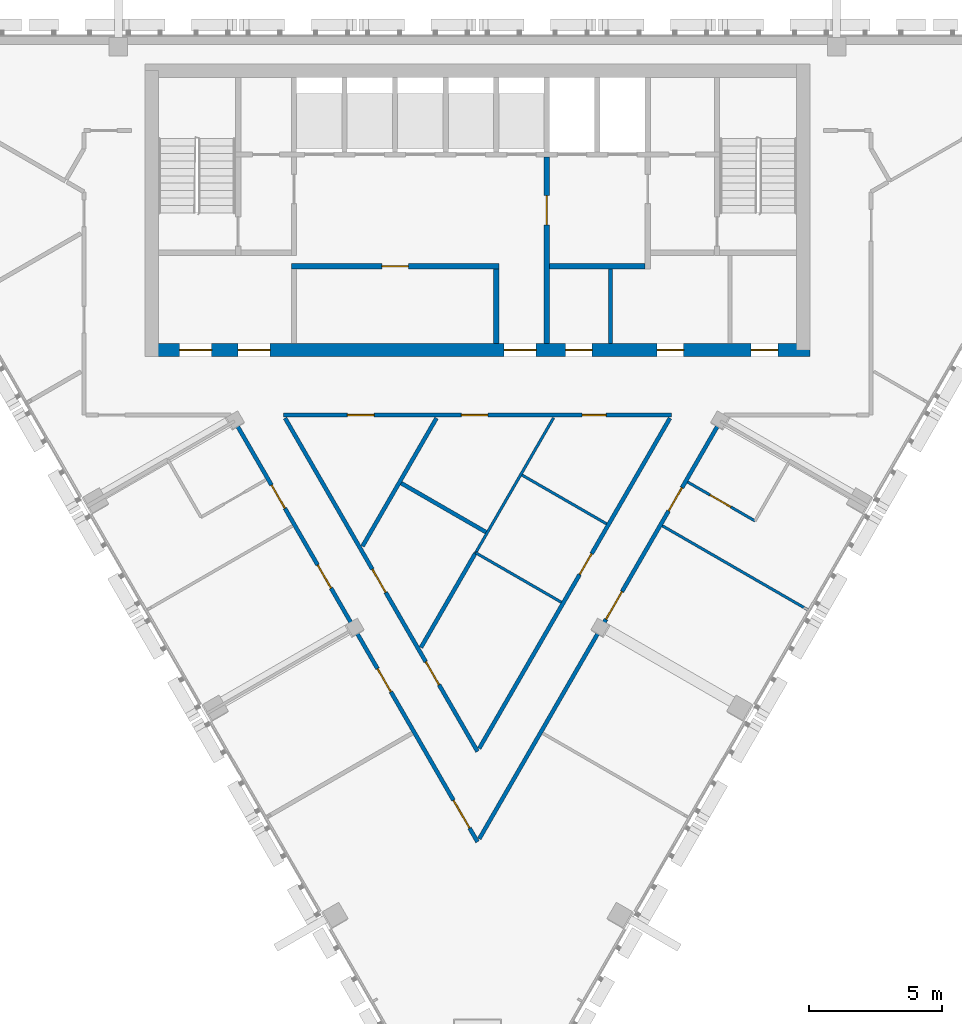
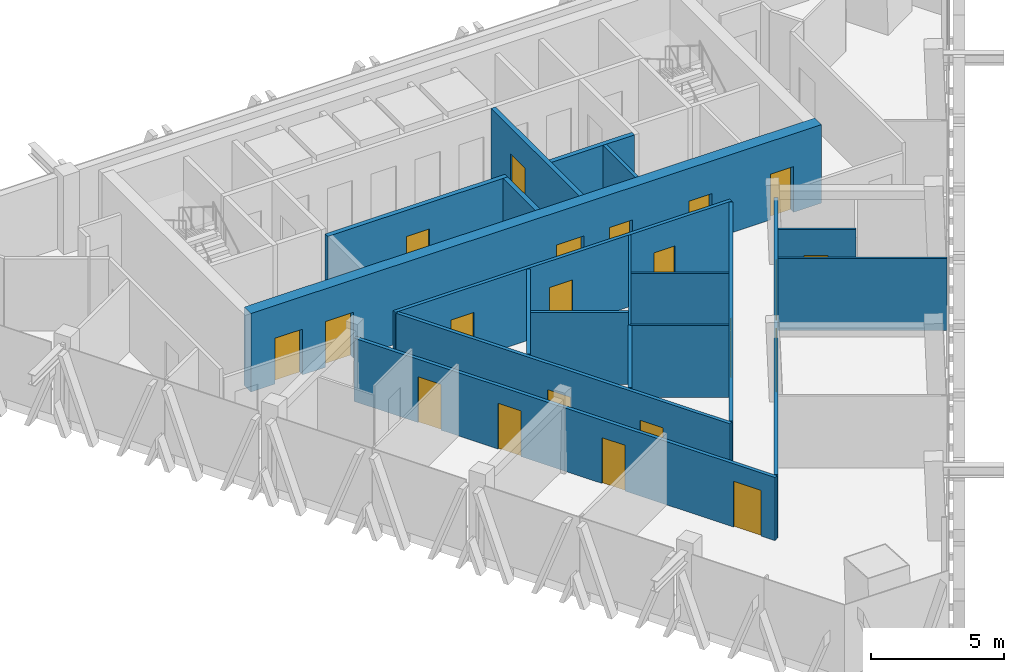
# One storey, part 8 of 12: 21 doors, 19 walls, 21 openings.
"""IFC4 building model written with IfcOpenShell, lengths in metres."""

from ifc_helpers import new_model, si_unit, direction, frame, frame_2d, origin, place, context, subcontext, project, spatial, rectangle, extrude, material, layer, layer_set, type_object, element, fill, save


model = new_model("IFC4")

# Units and contexts
model_context = context("Model", 3, precision=1e-05, world=origin(), true_north=direction((0.0, 1.0)))
body_context = subcontext(model_context, "Body", "Model", "MODEL_VIEW")
ifc_project = project(units=[si_unit("LENGTHUNIT", "METRE"), si_unit("AREAUNIT", "SQUARE_METRE"), si_unit("VOLUMEUNIT", "CUBIC_METRE"), si_unit("PLANEANGLEUNIT", "RADIAN"), si_unit("MASSUNIT", "GRAM", prefix="KILO")], contexts=[model_context])

# Site, building, storey
site_placement = place(None, origin())
site = spatial("IfcSite", under=ifc_project, at=site_placement, CompositionType="ELEMENT")
building_placement = place(site_placement, origin())
building = spatial("IfcBuilding", under=site, at=building_placement, Name="Altiplano Prism Tower", CompositionType="ELEMENT")
storey_placement = place(building_placement, frame((0.0, 0.0, 282.39990234375)))
storey = spatial("IfcBuildingStorey", under=building, at=storey_placement, Name="L73", CompositionType="ELEMENT", Elevation=282.39990234375)

# Wall, openings, doors
ifc_material_1 = material(Name="Concrete C60/75", Category="concrete")
ifc_layer_1 = layer(ifc_material_1, 0.5)
ifc_layer_set_1 = layer_set([ifc_layer_1], Name="Concrete C60/75")
wall_type_1 = type_object("IfcWallType", Name="Core wall 500", PredefinedType="SHEAR", material=ifc_layer_set_1)
wall_1_placement = place(storey_placement, frame((72.75, 93.14990234375, 0.0), z_axis=(0.0, 0.0, 1.0), x_axis=(1.0, 0.0, 0.0)))
wall_1 = element("IfcWall", 1, at=wall_1_placement, inside=storey, type_object=wall_type_1, Name="Core wall S L73", PredefinedType="SHEAR", context=body_context, shape_type="SweptSolid", body=[
    extrude(rectangle(XDim=24.75, YDim=0.5, at=frame_2d((12.375, 0.0))), origin(), (0.0, 0.0, 1.0), 3.60009765625),
])
opening_1_placement = place(wall_1_placement, frame((1.050048828125, 0.0, 0.0)))
opening_1 = element("IfcOpeningElement", 2, at=opening_1_placement, cuts=wall_1, Name="Opening D3611", PredefinedType="OPENING", context=body_context, shape_type="SweptSolid", body=[
    extrude(rectangle(XDim=1.199951171875, YDim=2.10009765625, at=frame_2d((0.60009765625, 1.050048828125))), frame((0.0, 0.260498046875, 0.0), z_axis=(0.0, -1.0, 0.0), x_axis=(1.0, 0.0, 0.0)), (0.0, 0.0, 1.0), 0.52099609375),
])
opening_2_placement = place(wall_1_placement, frame((3.25, 0.0, 0.0)))
opening_2 = element("IfcOpeningElement", 3, at=opening_2_placement, cuts=wall_1, Name="Opening D3612", PredefinedType="OPENING", context=body_context, shape_type="SweptSolid", body=[
    extrude(rectangle(XDim=1.199951171875, YDim=2.10009765625, at=frame_2d((0.60009765625, 1.050048828125))), frame((0.0, 0.260498046875, 0.0), z_axis=(0.0, -1.0, 0.0), x_axis=(1.0, 0.0, 0.0)), (0.0, 0.0, 1.0), 0.52099609375),
])
opening_3_placement = place(wall_1_placement, frame((13.25, 0.0, 0.0)))
opening_3 = element("IfcOpeningElement", 4, at=opening_3_placement, cuts=wall_1, Name="Opening D3613", PredefinedType="OPENING", context=body_context, shape_type="SweptSolid", body=[
    extrude(rectangle(XDim=1.199951171875, YDim=2.10009765625, at=frame_2d((0.60009765625, 1.050048828125))), frame((0.0, 0.260498046875, 0.0), z_axis=(0.0, -1.0, 0.0), x_axis=(1.0, 0.0, 0.0)), (0.0, 0.0, 1.0), 0.52099609375),
])
opening_4_placement = place(wall_1_placement, frame((15.5625, 0.0, 0.0)))
opening_4 = element("IfcOpeningElement", 5, at=opening_4_placement, cuts=wall_1, Name="Opening D3616", PredefinedType="OPENING", context=body_context, shape_type="SweptSolid", body=[
    extrude(rectangle(XDim=1.0, YDim=2.10009765625, at=frame_2d((0.5, 1.050048828125))), frame((0.0, 0.260498046875, 0.0), z_axis=(0.0, -1.0, 0.0), x_axis=(1.0, 0.0, 0.0)), (0.0, 0.0, 1.0), 0.52099609375),
])
opening_5_placement = place(wall_1_placement, frame((19.0, 0.0, 0.0)))
opening_5 = element("IfcOpeningElement", 6, at=opening_5_placement, cuts=wall_1, Name="Opening D3617", PredefinedType="OPENING", context=body_context, shape_type="SweptSolid", body=[
    extrude(rectangle(XDim=1.0, YDim=2.10009765625, at=frame_2d((0.5, 1.050048828125))), frame((0.0, 0.260498046875, 0.0), z_axis=(0.0, -1.0, 0.0), x_axis=(1.0, 0.0, 0.0)), (0.0, 0.0, 1.0), 0.52099609375),
])
opening_6_placement = place(wall_1_placement, frame((22.53759765625, 0.0, 0.0)))
opening_6 = element("IfcOpeningElement", 7, at=opening_6_placement, cuts=wall_1, Name="Opening D3618", PredefinedType="OPENING", context=body_context, shape_type="SweptSolid", body=[
    extrude(rectangle(XDim=1.0, YDim=2.10009765625, at=frame_2d((0.5, 1.050048828125))), frame((0.0, 0.260498046875, 0.0), z_axis=(0.0, -1.0, 0.0), x_axis=(1.0, 0.0, 0.0)), (0.0, 0.0, 1.0), 0.52099609375),
])
ifc_material_2 = material(Name="Fire-rated steel door", Category="steel")
door_type_1 = type_object("IfcDoorType", Name="Core room door 1000 x 2100", OperationType="NOTDEFINED", PredefinedType="NOTDEFINED", material=ifc_material_2)
door_1_placement = place(opening_4_placement, origin())
door_1 = element("IfcDoor", 8, at=door_1_placement, inside=storey, type_object=door_type_1, Name="Core room door D3616", OperationType="SINGLE_SWING_RIGHT", OverallHeight=2.10009765625, OverallWidth=1.0, PredefinedType="NOTDEFINED", context=body_context, shape_type="SweptSolid", body=[
    extrude(rectangle(XDim=1.0, YDim=2.10009765625, at=frame_2d((0.5, 1.050048828125))), frame((0.0, 0.02490234375, 0.0), z_axis=(0.0, -1.0, 0.0), x_axis=(1.0, 0.0, 0.0)), (0.0, 0.0, 1.0), 0.050048828125),
])
fill(opening_4, door_1)
door_2_placement = place(opening_5_placement, origin())
door_2 = element("IfcDoor", 9, at=door_2_placement, inside=storey, type_object=door_type_1, Name="Core room door D3617", OperationType="SINGLE_SWING_LEFT", OverallHeight=2.10009765625, OverallWidth=1.0, PredefinedType="NOTDEFINED", context=body_context, shape_type="SweptSolid", body=[
    extrude(rectangle(XDim=1.0, YDim=2.10009765625, at=frame_2d((0.5, 1.050048828125))), frame((0.0, 0.02490234375, 0.0), z_axis=(0.0, -1.0, 0.0), x_axis=(1.0, 0.0, 0.0)), (0.0, 0.0, 1.0), 0.050048828125),
])
fill(opening_5, door_2)
door_3_placement = place(opening_6_placement, origin())
door_3 = element("IfcDoor", 10, at=door_3_placement, inside=storey, type_object=door_type_1, Name="Core room door D3618", OperationType="SINGLE_SWING_RIGHT", OverallHeight=2.10009765625, OverallWidth=1.0, PredefinedType="NOTDEFINED", context=body_context, shape_type="SweptSolid", body=[
    extrude(rectangle(XDim=1.0, YDim=2.10009765625, at=frame_2d((0.5, 1.050048828125))), frame((0.0, 0.02490234375, 0.0), z_axis=(0.0, -1.0, 0.0), x_axis=(1.0, 0.0, 0.0)), (0.0, 0.0, 1.0), 0.050048828125),
])
fill(opening_6, door_3)
door_type_2 = type_object("IfcDoorType", Name="Lobby fire door 1200 x 2100", OperationType="NOTDEFINED", PredefinedType="NOTDEFINED", material=ifc_material_2)
door_4_placement = place(opening_1_placement, origin())
door_4 = element("IfcDoor", 11, at=door_4_placement, inside=storey, type_object=door_type_2, Name="Lobby fire door D3611", OperationType="SINGLE_SWING_RIGHT", OverallHeight=2.10009765625, OverallWidth=1.199951171875, PredefinedType="NOTDEFINED", context=body_context, shape_type="SweptSolid", body=[
    extrude(rectangle(XDim=1.199951171875, YDim=2.10009765625, at=frame_2d((0.60009765625, 1.050048828125))), frame((0.0, 0.02490234375, 0.0), z_axis=(0.0, -1.0, 0.0), x_axis=(1.0, 0.0, 0.0)), (0.0, 0.0, 1.0), 0.050048828125),
])
fill(opening_1, door_4)
door_5_placement = place(opening_2_placement, origin())
door_5 = element("IfcDoor", 12, at=door_5_placement, inside=storey, type_object=door_type_2, Name="Lobby fire door D3612", OperationType="SINGLE_SWING_LEFT", OverallHeight=2.10009765625, OverallWidth=1.199951171875, PredefinedType="NOTDEFINED", context=body_context, shape_type="SweptSolid", body=[
    extrude(rectangle(XDim=1.199951171875, YDim=2.10009765625, at=frame_2d((0.60009765625, 1.050048828125))), frame((0.0, 0.02490234375, 0.0), z_axis=(0.0, -1.0, 0.0), x_axis=(1.0, 0.0, 0.0)), (0.0, 0.0, 1.0), 0.050048828125),
])
fill(opening_2, door_5)
door_6_placement = place(opening_3_placement, origin())
door_6 = element("IfcDoor", 13, at=door_6_placement, inside=storey, type_object=door_type_2, Name="Lobby fire door D3613", OperationType="SINGLE_SWING_RIGHT", OverallHeight=2.10009765625, OverallWidth=1.199951171875, PredefinedType="NOTDEFINED", context=body_context, shape_type="SweptSolid", body=[
    extrude(rectangle(XDim=1.199951171875, YDim=2.10009765625, at=frame_2d((0.60009765625, 1.050048828125))), frame((0.0, 0.02490234375, 0.0), z_axis=(0.0, -1.0, 0.0), x_axis=(1.0, 0.0, 0.0)), (0.0, 0.0, 1.0), 0.050048828125),
])
fill(opening_3, door_6)

# Wall, opening, door
ifc_material_3 = material(Name="Plasterboard on steel stud", Category="steel")
ifc_layer_2 = layer(ifc_material_3, 0.10009765625)
ifc_layer_set_2 = layer_set([ifc_layer_2], Name="Plasterboard on steel stud")
wall_type_2 = type_object("IfcWallType", Name="Partition 100 unit", PredefinedType="PARTITIONING", material=ifc_layer_set_2)
wall_2_placement = place(storey_placement, frame((95.4306640625, 86.724609375, 0.0), z_axis=(0.0, 0.0, 1.0), x_axis=(-0.866046596414, 0.499963291492, 0.0)))
wall_2 = element("IfcWall", 14, at=wall_2_placement, inside=storey, type_object=wall_type_2, Name="Partition P02 L73 037", PredefinedType="PARTITIONING", context=body_context, shape_type="SweptSolid", body=[
    extrude(rectangle(XDim=2.925048828125, YDim=0.10009765625, at=frame_2d((1.46240234375, 0.0))), origin(), (0.0, 0.0, 1.0), 3.300048828125),
])
opening_7_placement = place(wall_2_placement, frame((1.050048828125, 0.0, 0.0)))
opening_7 = element("IfcOpeningElement", 15, at=opening_7_placement, cuts=wall_2, Name="Opening D2284", PredefinedType="OPENING", context=body_context, shape_type="SweptSolid", body=[
    extrude(rectangle(XDim=0.89990234375, YDim=2.10009765625, at=frame_2d((0.449951171875, 1.050048828125))), frame((0.0, 0.060546875, 0.0), z_axis=(0.0, -1.0, 0.0), x_axis=(1.0, 0.0, 0.0)), (0.0, 0.0, 1.0), 0.12109375),
])
ifc_material_4 = material(Name="Timber", Category="wood")
door_type_3 = type_object("IfcDoorType", Name="Ensuite door 900 x 2100", OperationType="NOTDEFINED", PredefinedType="NOTDEFINED", material=ifc_material_4)
door_7_placement = place(opening_7_placement, origin())
door_7 = element("IfcDoor", 16, at=door_7_placement, inside=storey, type_object=door_type_3, Name="Door D2284", OperationType="SINGLE_SWING_LEFT", OverallHeight=2.10009765625, OverallWidth=0.89990234375, PredefinedType="NOTDEFINED", context=body_context, shape_type="SweptSolid", body=[
    extrude(rectangle(XDim=0.89990234375, YDim=2.10009765625, at=frame_2d((0.449951171875, 1.050048828125))), frame((0.0, 0.02490234375, 0.0), z_axis=(0.0, -1.0, 0.0), x_axis=(1.0, 0.0, 0.0)), (0.0, 0.0, 1.0), 0.050048828125),
])
fill(opening_7, door_7)

# Walls
ifc_layer_3 = layer(ifc_material_3, 0.10009765625)
ifc_layer_set_3 = layer_set([ifc_layer_3], Name="Plasterboard on steel stud")
wall_type_3 = type_object("IfcWallType", Name="Partition 100 wet", PredefinedType="PARTITIONING", material=ifc_layer_set_3)
wall_3_placement = place(storey_placement, frame((89.852294921875, 86.61279296875, 0.0), z_axis=(0.0, 0.0, 1.0), x_axis=(-0.866052648448, 0.499952807888, 0.0)))
element("IfcWall", 17, at=wall_3_placement, inside=storey, type_object=wall_type_3, Name="Partition P03 L73 018", PredefinedType="PARTITIONING", context=body_context, shape_type="SweptSolid", body=[
    extrude(rectangle(XDim=3.669677734375, YDim=0.10009765625, at=frame_2d((1.8349609375, 0.0))), origin(), (0.0, 0.0, 1.0), 3.300048828125),
])
wall_4_placement = place(storey_placement, frame((87.859130859375, 90.60009765625, 0.0), z_axis=(0.0, 0.0, 1.0), x_axis=(-0.500002871521, -0.866023745905, 0.0)))
element("IfcWall", 18, at=wall_4_placement, inside=storey, type_object=wall_type_3, Name="Partition P03 L73 019", PredefinedType="PARTITIONING", context=body_context, shape_type="SweptSolid", body=[
    extrude(rectangle(XDim=5.87841796875, YDim=0.10009765625, at=frame_2d((2.939208984375, 0.0))), origin(), (0.0, 0.0, 1.0), 3.300048828125),
])
wall_5_placement = place(storey_placement, frame((84.929931640625, 85.526611328125, 0.0), z_axis=(0.0, 0.0, 1.0), x_axis=(0.866000871473, -0.500042488803, 0.0)))
element("IfcWall", 19, at=wall_5_placement, inside=storey, type_object=wall_type_3, Name="Partition P03 L73 020", PredefinedType="PARTITIONING", context=body_context, shape_type="SweptSolid", body=[
    extrude(rectangle(XDim=3.719970703125, YDim=0.10009765625, at=frame_2d((1.85986328125, 0.0))), origin(), (0.0, 0.0, 1.0), 3.300048828125),
])
wall_6_placement = place(storey_placement, frame((97.442626953125, 83.368896484375, 0.0), z_axis=(0.0, 0.0, 1.0), x_axis=(-0.866025401434, 0.500000004071, 0.0)))
element("IfcWall", 20, at=wall_6_placement, inside=storey, type_object=wall_type_3, Name="Partition P03 L73 035", PredefinedType="PARTITIONING", context=body_context, shape_type="SweptSolid", body=[
    extrude(rectangle(XDim=6.34521484375, YDim=0.10009765625, at=frame_2d((3.172607421875, 0.0))), origin(), (0.0, 0.0, 1.0), 3.300048828125),
])

# Wall, openings, doors
ifc_layer_4 = layer(ifc_material_3, 0.14990234375)
ifc_layer_set_4 = layer_set([ifc_layer_4], Name="Plasterboard on steel stud")
wall_type_4 = type_object("IfcWallType", Name="Partition 150 corridor", PredefinedType="PARTITIONING", material=ifc_layer_set_4)
wall_7_placement = place(storey_placement, frame((77.701171875, 90.699951171875, 0.0), z_axis=(0.0, 0.0, 1.0), x_axis=(1.0, 0.0, 0.0)))
wall_7 = element("IfcWall", 21, at=wall_7_placement, inside=storey, type_object=wall_type_4, Name="Partition P06 L73 001", PredefinedType="PARTITIONING", context=body_context, shape_type="SweptSolid", body=[
    extrude(rectangle(XDim=14.59765625, YDim=0.14990234375, at=frame_2d((7.298828125, 0.0))), origin(), (0.0, 0.0, 1.0), 3.300048828125),
])
opening_8_placement = place(wall_7_placement, frame((11.22998046875, 0.0, 0.0)))
opening_8 = element("IfcOpeningElement", 22, at=opening_8_placement, cuts=wall_7, Name="Opening D2271", PredefinedType="OPENING", context=body_context, shape_type="SweptSolid", body=[
    extrude(rectangle(XDim=0.89990234375, YDim=2.10009765625, at=frame_2d((0.449951171875, 1.050048828125))), frame((0.0, 0.08544921875, 0.0), z_axis=(0.0, -1.0, 0.0), x_axis=(1.0, 0.0, 0.0)), (0.0, 0.0, 1.0), 0.1708984375),
])
opening_9_placement = place(wall_7_placement, frame((2.410888671875, 0.0, 0.0)))
opening_9 = element("IfcOpeningElement", 23, at=opening_9_placement, cuts=wall_7, Name="Opening D2272", PredefinedType="OPENING", context=body_context, shape_type="SweptSolid", body=[
    extrude(rectangle(XDim=1.0, YDim=2.10009765625, at=frame_2d((0.5, 1.050048828125))), frame((0.0, 0.08544921875, 0.0), z_axis=(0.0, -1.0, 0.0), x_axis=(1.0, 0.0, 0.0)), (0.0, 0.0, 1.0), 0.1708984375),
])
opening_10_placement = place(wall_7_placement, frame((6.69091796875, 0.0, 0.0)))
opening_10 = element("IfcOpeningElement", 24, at=opening_10_placement, cuts=wall_7, Name="Opening D2273", PredefinedType="OPENING", context=body_context, shape_type="SweptSolid", body=[
    extrude(rectangle(XDim=1.0, YDim=2.10009765625, at=frame_2d((0.5, 1.050048828125))), frame((0.0, 0.08544921875, 0.0), z_axis=(0.0, -1.0, 0.0), x_axis=(1.0, 0.0, 0.0)), (0.0, 0.0, 1.0), 0.1708984375),
])
door_type_4 = type_object("IfcDoorType", Name="Room door 1000 x 2100", OperationType="NOTDEFINED", PredefinedType="NOTDEFINED", material=ifc_material_4)
door_8_placement = place(opening_10_placement, origin())
door_8 = element("IfcDoor", 25, at=door_8_placement, inside=storey, type_object=door_type_4, Name="Door D2273", OperationType="SINGLE_SWING_RIGHT", OverallHeight=2.10009765625, OverallWidth=1.0, PredefinedType="NOTDEFINED", context=body_context, shape_type="SweptSolid", body=[
    extrude(rectangle(XDim=1.0, YDim=2.10009765625, at=frame_2d((0.5, 1.050048828125))), frame((0.0, 0.02490234375, 0.0), z_axis=(0.0, -1.0, 0.0), x_axis=(1.0, 0.0, 0.0)), (0.0, 0.0, 1.0), 0.050048828125),
])
fill(opening_10, door_8)
door_type_5 = type_object("IfcDoorType", Name="Store door 1000 x 2100", OperationType="NOTDEFINED", PredefinedType="NOTDEFINED", material=ifc_material_4)
door_9_placement = place(opening_9_placement, origin())
door_9 = element("IfcDoor", 26, at=door_9_placement, inside=storey, type_object=door_type_5, Name="Door D2272", OperationType="SINGLE_SWING_RIGHT", OverallHeight=2.10009765625, OverallWidth=1.0, PredefinedType="NOTDEFINED", context=body_context, shape_type="SweptSolid", body=[
    extrude(rectangle(XDim=1.0, YDim=2.10009765625, at=frame_2d((0.5, 1.050048828125))), frame((0.0, 0.02490234375, 0.0), z_axis=(0.0, -1.0, 0.0), x_axis=(1.0, 0.0, 0.0)), (0.0, 0.0, 1.0), 0.050048828125),
])
fill(opening_9, door_9)
door_type_6 = type_object("IfcDoorType", Name="Toilet door 900 x 2100", OperationType="NOTDEFINED", PredefinedType="NOTDEFINED", material=ifc_material_4)
door_10_placement = place(opening_8_placement, origin())
door_10 = element("IfcDoor", 27, at=door_10_placement, inside=storey, type_object=door_type_6, Name="Door D2271", OperationType="SINGLE_SWING_RIGHT", OverallHeight=2.10009765625, OverallWidth=0.89990234375, PredefinedType="NOTDEFINED", context=body_context, shape_type="SweptSolid", body=[
    extrude(rectangle(XDim=0.89990234375, YDim=2.10009765625, at=frame_2d((0.449951171875, 1.050048828125))), frame((0.0, 0.02490234375, 0.0), z_axis=(0.0, -1.0, 0.0), x_axis=(1.0, 0.0, 0.0)), (0.0, 0.0, 1.0), 0.050048828125),
])
fill(opening_8, door_10)

wall_8_placement = place(storey_placement, frame((75.867431640625, 90.47607421875, 0.0), z_axis=(0.0, 0.0, 1.0), x_axis=(0.500004772466, -0.866022648383, 0.0)))
wall_8 = element("IfcWall", 28, at=wall_8_placement, inside=storey, type_object=wall_type_4, Name="Partition P06 L73 005", PredefinedType="PARTITIONING", context=body_context, shape_type="SweptSolid", body=[
    extrude(rectangle(XDim=18.264892578125, YDim=0.14990234375, at=frame_2d((9.13232421875, 0.0))), origin(), (0.0, 0.0, 1.0), 2.900146484375),
])
opening_11_placement = place(wall_8_placement, frame((2.780029296875, 0.0, 0.0)))
opening_11 = element("IfcOpeningElement", 29, at=opening_11_placement, cuts=wall_8, Name="Opening D2277", PredefinedType="OPENING", context=body_context, shape_type="SweptSolid", body=[
    extrude(rectangle(XDim=1.0, YDim=2.10009765625, at=frame_2d((0.5, 1.050048828125))), frame((0.0, 0.08544921875, 0.0), z_axis=(0.0, -1.0, 0.0), x_axis=(1.0, 0.0, 0.0)), (0.0, 0.0, 1.0), 0.1708984375),
])
opening_12_placement = place(wall_8_placement, frame((6.25, 0.0, 0.0)))
opening_12 = element("IfcOpeningElement", 30, at=opening_12_placement, cuts=wall_8, Name="Opening D2279", PredefinedType="OPENING", context=body_context, shape_type="SweptSolid", body=[
    extrude(rectangle(XDim=1.0, YDim=2.10009765625, at=frame_2d((0.5, 1.050048828125))), frame((0.0, 0.08544921875, 0.0), z_axis=(0.0, -1.0, 0.0), x_axis=(1.0, 0.0, 0.0)), (0.0, 0.0, 1.0), 0.1708984375),
])
opening_13_placement = place(wall_8_placement, frame((10.75, 0.0, 0.0)))
opening_13 = element("IfcOpeningElement", 31, at=opening_13_placement, cuts=wall_8, Name="Opening D2280", PredefinedType="OPENING", context=body_context, shape_type="SweptSolid", body=[
    extrude(rectangle(XDim=1.0, YDim=2.10009765625, at=frame_2d((0.5, 1.050048828125))), frame((0.0, 0.08544921875, 0.0), z_axis=(0.0, -1.0, 0.0), x_axis=(1.0, 0.0, 0.0)), (0.0, 0.0, 1.0), 0.1708984375),
])
opening_14_placement = place(wall_8_placement, frame((16.464111328125, 0.0, 0.0)))
opening_14 = element("IfcOpeningElement", 32, at=opening_14_placement, cuts=wall_8, Name="Opening D2281", PredefinedType="OPENING", context=body_context, shape_type="SweptSolid", body=[
    extrude(rectangle(XDim=1.199951171875, YDim=2.10009765625, at=frame_2d((0.60009765625, 1.050048828125))), frame((0.0, 0.08544921875, 0.0), z_axis=(0.0, -1.0, 0.0), x_axis=(1.0, 0.0, 0.0)), (0.0, 0.0, 1.0), 0.1708984375),
])
door_type_7 = type_object("IfcDoorType", Name="Bedroom entrance door 1000 x 2100", OperationType="NOTDEFINED", PredefinedType="NOTDEFINED", material=ifc_material_4)
door_11_placement = place(opening_11_placement, origin())
door_11 = element("IfcDoor", 33, at=door_11_placement, inside=storey, type_object=door_type_7, Name="Door D2277", OperationType="SINGLE_SWING_LEFT", OverallHeight=2.10009765625, OverallWidth=1.0, PredefinedType="NOTDEFINED", context=body_context, shape_type="SweptSolid", body=[
    extrude(rectangle(XDim=1.0, YDim=2.10009765625, at=frame_2d((0.5, 1.050048828125))), frame((0.0, 0.02490234375, 0.0), z_axis=(0.0, -1.0, 0.0), x_axis=(1.0, 0.0, 0.0)), (0.0, 0.0, 1.0), 0.050048828125),
])
fill(opening_11, door_11)
door_12_placement = place(opening_12_placement, origin())
door_12 = element("IfcDoor", 34, at=door_12_placement, inside=storey, type_object=door_type_4, Name="Door D2279", OperationType="SINGLE_SWING_RIGHT", OverallHeight=2.10009765625, OverallWidth=1.0, PredefinedType="NOTDEFINED", context=body_context, shape_type="SweptSolid", body=[
    extrude(rectangle(XDim=1.0, YDim=2.10009765625, at=frame_2d((0.5, 1.050048828125))), frame((0.0, 0.02490234375, 0.0), z_axis=(0.0, -1.0, 0.0), x_axis=(1.0, 0.0, 0.0)), (0.0, 0.0, 1.0), 0.050048828125),
])
fill(opening_12, door_12)
door_13_placement = place(opening_13_placement, origin())
door_13 = element("IfcDoor", 35, at=door_13_placement, inside=storey, type_object=door_type_4, Name="Door D2280", OperationType="SINGLE_SWING_RIGHT", OverallHeight=2.10009765625, OverallWidth=1.0, PredefinedType="NOTDEFINED", context=body_context, shape_type="SweptSolid", body=[
    extrude(rectangle(XDim=1.0, YDim=2.10009765625, at=frame_2d((0.5, 1.050048828125))), frame((0.0, 0.02490234375, 0.0), z_axis=(0.0, -1.0, 0.0), x_axis=(1.0, 0.0, 0.0)), (0.0, 0.0, 1.0), 0.050048828125),
])
fill(opening_13, door_13)
door_type_8 = type_object("IfcDoorType", Name="Shared room door 1200 x 2100", OperationType="NOTDEFINED", PredefinedType="NOTDEFINED", material=ifc_material_4)
door_14_placement = place(opening_14_placement, origin())
door_14 = element("IfcDoor", 36, at=door_14_placement, inside=storey, type_object=door_type_8, Name="Door D2281", OperationType="SINGLE_SWING_LEFT", OverallHeight=2.10009765625, OverallWidth=1.199951171875, PredefinedType="NOTDEFINED", context=body_context, shape_type="SweptSolid", body=[
    extrude(rectangle(XDim=1.199951171875, YDim=2.10009765625, at=frame_2d((0.60009765625, 1.050048828125))), frame((0.0, 0.02490234375, 0.0), z_axis=(0.0, -1.0, 0.0), x_axis=(1.0, 0.0, 0.0)), (0.0, 0.0, 1.0), 0.050048828125),
])
fill(opening_14, door_14)

wall_9_placement = place(storey_placement, frame((85.06494140625, 74.770751953125, 0.0), z_axis=(0.0, 0.0, 1.0), x_axis=(0.500006406735, 0.866021704823, 0.0)))
wall_9 = element("IfcWall", 37, at=wall_9_placement, inside=storey, type_object=wall_type_4, Name="Partition P06 L73 006", PredefinedType="PARTITIONING", context=body_context, shape_type="SweptSolid", body=[
    extrude(rectangle(XDim=18.135009765625, YDim=0.14990234375, at=frame_2d((9.0673828125, 0.0))), origin(), (0.0, 0.0, 1.0), 2.900146484375),
])
opening_15_placement = place(wall_9_placement, frame((9.533935546875, 0.0, 0.0)))
opening_15 = element("IfcOpeningElement", 38, at=opening_15_placement, cuts=wall_9, Name="Opening D2282", PredefinedType="OPENING", context=body_context, shape_type="SweptSolid", body=[
    extrude(rectangle(XDim=1.199951171875, YDim=2.10009765625, at=frame_2d((0.60009765625, 1.050048828125))), frame((0.0, 0.08544921875, 0.0), z_axis=(0.0, -1.0, 0.0), x_axis=(1.0, 0.0, 0.0)), (0.0, 0.0, 1.0), 0.1708984375),
])
opening_16_placement = place(wall_9_placement, frame((14.239990234375, 0.0, 0.0)))
opening_16 = element("IfcOpeningElement", 39, at=opening_16_placement, cuts=wall_9, Name="Opening D2283", PredefinedType="OPENING", context=body_context, shape_type="SweptSolid", body=[
    extrude(rectangle(XDim=1.0, YDim=2.10009765625, at=frame_2d((0.5, 1.050048828125))), frame((0.0, 0.08544921875, 0.0), z_axis=(0.0, -1.0, 0.0), x_axis=(1.0, 0.0, 0.0)), (0.0, 0.0, 1.0), 0.1708984375),
])
door_15_placement = place(opening_16_placement, origin())
door_15 = element("IfcDoor", 40, at=door_15_placement, inside=storey, type_object=door_type_7, Name="Door D2283", OperationType="SINGLE_SWING_LEFT", OverallHeight=2.10009765625, OverallWidth=1.0, PredefinedType="NOTDEFINED", context=body_context, shape_type="SweptSolid", body=[
    extrude(rectangle(XDim=1.0, YDim=2.10009765625, at=frame_2d((0.5, 1.050048828125))), frame((0.0, 0.02490234375, 0.0), z_axis=(0.0, -1.0, 0.0), x_axis=(1.0, 0.0, 0.0)), (0.0, 0.0, 1.0), 0.050048828125),
])
fill(opening_16, door_15)
door_16_placement = place(opening_15_placement, origin())
door_16 = element("IfcDoor", 41, at=door_16_placement, inside=storey, type_object=door_type_8, Name="Door D2282", OperationType="SINGLE_SWING_RIGHT", OverallHeight=2.10009765625, OverallWidth=1.199951171875, PredefinedType="NOTDEFINED", context=body_context, shape_type="SweptSolid", body=[
    extrude(rectangle(XDim=1.199951171875, YDim=2.10009765625, at=frame_2d((0.60009765625, 1.050048828125))), frame((0.0, 0.02490234375, 0.0), z_axis=(0.0, -1.0, 0.0), x_axis=(1.0, 0.0, 0.0)), (0.0, 0.0, 1.0), 0.050048828125),
])
fill(opening_15, door_16)

# Wall, opening, door
wall_10_placement = place(storey_placement, frame((92.23388671875, 90.58740234375, 0.0), z_axis=(0.0, 0.0, 1.0), x_axis=(-0.500006930241, -0.866021402571, 0.0)))
wall_10 = element("IfcWall", 42, at=wall_10_placement, inside=storey, type_object=wall_type_4, Name="Partition P06 L73 016", PredefinedType="PARTITIONING", context=body_context, shape_type="SweptSolid", body=[
    extrude(rectangle(XDim=14.337646484375, YDim=0.14990234375, at=frame_2d((7.1689453125, 0.0))), origin(), (0.0, 0.0, 1.0), 3.300048828125),
])
opening_17_placement = place(wall_10_placement, frame((5.884033203125, 0.0, 0.0)))
opening_17 = element("IfcOpeningElement", 43, at=opening_17_placement, cuts=wall_10, Name="Opening D2270", PredefinedType="OPENING", context=body_context, shape_type="SweptSolid", body=[
    extrude(rectangle(XDim=0.89990234375, YDim=2.10009765625, at=frame_2d((0.449951171875, 1.050048828125))), frame((0.0, 0.08544921875, 0.0), z_axis=(0.0, -1.0, 0.0), x_axis=(1.0, 0.0, 0.0)), (0.0, 0.0, 1.0), 0.1708984375),
])
door_17_placement = place(opening_17_placement, origin())
door_17 = element("IfcDoor", 44, at=door_17_placement, inside=storey, type_object=door_type_6, Name="Door D2270", OperationType="SINGLE_SWING_LEFT", OverallHeight=2.10009765625, OverallWidth=0.89990234375, PredefinedType="NOTDEFINED", context=body_context, shape_type="SweptSolid", body=[
    extrude(rectangle(XDim=0.89990234375, YDim=2.10009765625, at=frame_2d((0.449951171875, 1.050048828125))), frame((0.0, 0.02490234375, 0.0), z_axis=(0.0, -1.0, 0.0), x_axis=(1.0, 0.0, 0.0)), (0.0, 0.0, 1.0), 0.050048828125),
])
fill(opening_17, door_17)

# Wall, openings, doors
wall_11_placement = place(storey_placement, frame((85.0, 78.05810546875, 0.0), z_axis=(0.0, 0.0, 1.0), x_axis=(-0.500004862322, 0.866022596503, 0.0)))
wall_11 = element("IfcWall", 45, at=wall_11_placement, inside=storey, type_object=wall_type_4, Name="Partition P06 L73 017", PredefinedType="PARTITIONING", context=body_context, shape_type="SweptSolid", body=[
    extrude(rectangle(XDim=14.467529296875, YDim=0.14990234375, at=frame_2d((7.23388671875, 0.0))), origin(), (0.0, 0.0, 1.0), 3.300048828125),
])
opening_18_placement = place(wall_11_placement, frame((2.89404296875, 0.0, 0.0)))
opening_18 = element("IfcOpeningElement", 46, at=opening_18_placement, cuts=wall_11, Name="Opening D2289", PredefinedType="OPENING", context=body_context, shape_type="SweptSolid", body=[
    extrude(rectangle(XDim=1.0, YDim=2.10009765625, at=frame_2d((0.5, 1.050048828125))), frame((0.0, 0.08544921875, 0.0), z_axis=(0.0, -1.0, 0.0), x_axis=(1.0, 0.0, 0.0)), (0.0, 0.0, 1.0), 0.1708984375),
])
opening_19_placement = place(wall_11_placement, frame((6.906005859375, 0.0, 0.0)))
opening_19 = element("IfcOpeningElement", 47, at=opening_19_placement, cuts=wall_11, Name="Opening D2290", PredefinedType="OPENING", context=body_context, shape_type="SweptSolid", body=[
    extrude(rectangle(XDim=1.0, YDim=2.10009765625, at=frame_2d((0.5, 1.050048828125))), frame((0.0, 0.08544921875, 0.0), z_axis=(0.0, -1.0, 0.0), x_axis=(1.0, 0.0, 0.0)), (0.0, 0.0, 1.0), 0.1708984375),
])
door_18_placement = place(opening_18_placement, origin())
door_18 = element("IfcDoor", 48, at=door_18_placement, inside=storey, type_object=door_type_4, Name="Door D2289", OperationType="SINGLE_SWING_LEFT", OverallHeight=2.10009765625, OverallWidth=1.0, PredefinedType="NOTDEFINED", context=body_context, shape_type="SweptSolid", body=[
    extrude(rectangle(XDim=1.0, YDim=2.10009765625, at=frame_2d((0.5, 1.050048828125))), frame((0.0, 0.02490234375, 0.0), z_axis=(0.0, -1.0, 0.0), x_axis=(1.0, 0.0, 0.0)), (0.0, 0.0, 1.0), 0.050048828125),
])
fill(opening_18, door_18)
door_19_placement = place(opening_19_placement, origin())
door_19 = element("IfcDoor", 49, at=door_19_placement, inside=storey, type_object=door_type_5, Name="Door D2290", OperationType="SINGLE_SWING_LEFT", OverallHeight=2.10009765625, OverallWidth=1.0, PredefinedType="NOTDEFINED", context=body_context, shape_type="SweptSolid", body=[
    extrude(rectangle(XDim=1.0, YDim=2.10009765625, at=frame_2d((0.5, 1.050048828125))), frame((0.0, 0.02490234375, 0.0), z_axis=(0.0, -1.0, 0.0), x_axis=(1.0, 0.0, 0.0)), (0.0, 0.0, 1.0), 0.050048828125),
])
fill(opening_19, door_19)

# Walls
ifc_layer_5 = layer(ifc_material_3, 0.14990234375)
ifc_layer_set_5 = layer_set([ifc_layer_5], Name="Plasterboard on steel stud")
wall_type_5 = type_object("IfcWallType", Name="Partition 150 party", PredefinedType="PARTITIONING", material=ifc_layer_set_5)
wall_12_placement = place(storey_placement, frame((80.6767578125, 85.771240234375, 0.0), z_axis=(0.0, 0.0, 1.0), x_axis=(0.500020124897, 0.866013784358, 0.0)))
element("IfcWall", 50, at=wall_12_placement, inside=storey, type_object=wall_type_5, Name="Partition P01 L73 021", PredefinedType="PARTITIONING", context=body_context, shape_type="SweptSolid", body=[
    extrude(rectangle(XDim=5.561279296875, YDim=0.14990234375, at=frame_2d((2.78076171875, 0.0))), origin(), (0.0, 0.0, 1.0), 3.300048828125),
])
wall_13_placement = place(storey_placement, frame((82.132080078125, 88.141845703125, 0.0), z_axis=(0.0, 0.0, 1.0), x_axis=(0.866022103989, -0.50000571537, 0.0)))
element("IfcWall", 51, at=wall_13_placement, inside=storey, type_object=wall_type_5, Name="Partition P01 L73 022", PredefinedType="PARTITIONING", context=body_context, shape_type="SweptSolid", body=[
    extrude(rectangle(XDim=3.6806640625, YDim=0.14990234375, at=frame_2d((1.84033203125, 0.0))), origin(), (0.0, 0.0, 1.0), 3.300048828125),
])
wall_14_placement = place(storey_placement, frame((84.919921875, 85.50927734375, 0.0), z_axis=(0.0, 0.0, 1.0), x_axis=(-0.499989298045, -0.866031582473, 0.0)))
element("IfcWall", 52, at=wall_14_placement, inside=storey, type_object=wall_type_5, Name="Partition P01 L73 043", PredefinedType="PARTITIONING", context=body_context, shape_type="SweptSolid", body=[
    extrude(rectangle(XDim=4.091796875, YDim=0.14990234375, at=frame_2d((2.0458984375, 0.0))), origin(), (0.0, 0.0, 1.0), 3.300048828125),
])
ifc_material_5 = material(Name="Fire-rated gypsum board partition")
ifc_layer_6 = layer(ifc_material_5, 0.14990234375)
ifc_layer_set_6 = layer_set([ifc_layer_6], Name="Fire-rated gypsum board partition")
wall_type_6 = type_object("IfcWallType", Name="Room partition 150", PredefinedType="PARTITIONING", material=ifc_layer_set_6)
wall_15_placement = place(storey_placement, frame((90.0, 93.39990234375, 0.0), z_axis=(0.0, 0.0, 1.0), x_axis=(0.0, 1.0, 0.0)))
element("IfcWall", 53, at=wall_15_placement, inside=storey, type_object=wall_type_6, Name="Room partition L73", PredefinedType="PARTITIONING", context=body_context, shape_type="SweptSolid", body=[
    extrude(rectangle(XDim=2.800048828125, YDim=0.14990234375, at=frame_2d((1.39990234375, 0.0))), origin(), (0.0, 0.0, 1.0), 3.300048828125),
])
ifc_layer_7 = layer(ifc_material_1, 0.199951171875)
ifc_layer_set_7 = layer_set([ifc_layer_7], Name="Concrete C60/75")
wall_type_7 = type_object("IfcWallType", Name="Vestibule wall 200", PredefinedType="PARTITIONING", material=ifc_layer_set_7)
wall_16_placement = place(storey_placement, frame((85.699951171875, 93.39990234375, 0.0), z_axis=(0.0, 0.0, 1.0), x_axis=(0.0, 1.0, 0.0)))
element("IfcWall", 54, at=wall_16_placement, inside=storey, type_object=wall_type_7, Name="Vestibule wall L73", PredefinedType="PARTITIONING", context=body_context, shape_type="SweptSolid", body=[
    extrude(rectangle(XDim=2.800048828125, YDim=0.199951171875, at=frame_2d((1.39990234375, 0.0))), origin(), (0.0, 0.0, 1.0), 3.300048828125),
])

# Wall, opening, door
wall_17_placement = place(storey_placement, frame((87.60009765625, 93.39990234375, 0.0), z_axis=(0.0, 0.0, 1.0), x_axis=(0.0, 1.0, 0.0)))
wall_17 = element("IfcWall", 55, at=wall_17_placement, inside=storey, type_object=wall_type_7, Name="Vestibule wall L73", PredefinedType="PARTITIONING", context=body_context, shape_type="SweptSolid", body=[
    extrude(rectangle(XDim=7.0, YDim=0.199951171875, at=frame_2d((3.5, 0.0))), origin(), (0.0, 0.0, 1.0), 3.300048828125),
])
opening_20_placement = place(wall_17_placement, frame((4.449951171875, 0.0, 0.0)))
opening_20 = element("IfcOpeningElement", 56, at=opening_20_placement, cuts=wall_17, Name="Opening D3609", PredefinedType="OPENING", context=body_context, shape_type="SweptSolid", body=[
    extrude(rectangle(XDim=1.10009765625, YDim=2.10009765625, at=frame_2d((0.550048828125, 1.050048828125))), frame((0.0, 0.1103515625, 0.0), z_axis=(0.0, -1.0, 0.0), x_axis=(1.0, 0.0, 0.0)), (0.0, 0.0, 1.0), 0.220947265625),
])
door_type_9 = type_object("IfcDoorType", Name="Vestibule fire door 1100 x 2100", OperationType="NOTDEFINED", PredefinedType="NOTDEFINED", material=ifc_material_2)
door_20_placement = place(opening_20_placement, origin())
door_20 = element("IfcDoor", 57, at=door_20_placement, inside=storey, type_object=door_type_9, Name="Vestibule fire door D3609", OperationType="SINGLE_SWING_RIGHT", OverallHeight=2.10009765625, OverallWidth=1.10009765625, PredefinedType="NOTDEFINED", context=body_context, shape_type="SweptSolid", body=[
    extrude(rectangle(XDim=1.10009765625, YDim=2.10009765625, at=frame_2d((0.550048828125, 1.050048828125))), frame((0.0, 0.02490234375, 0.0), z_axis=(0.0, -1.0, 0.0), x_axis=(1.0, 0.0, 0.0)), (0.0, 0.0, 1.0), 0.050048828125),
])
fill(opening_20, door_20)

wall_18_placement = place(storey_placement, frame((78.0, 96.300048828125, 0.0), z_axis=(0.0, 0.0, 1.0), x_axis=(1.0, 0.0, 0.0)))
wall_18 = element("IfcWall", 58, at=wall_18_placement, inside=storey, type_object=wall_type_7, Name="Vestibule wall L73", PredefinedType="PARTITIONING", context=body_context, shape_type="SweptSolid", body=[
    extrude(rectangle(XDim=7.800048828125, YDim=0.199951171875, at=frame_2d((3.89990234375, 0.0))), origin(), (0.0, 0.0, 1.0), 3.300048828125),
])
opening_21_placement = place(wall_18_placement, frame((3.39990234375, 0.0, 0.0)))
opening_21 = element("IfcOpeningElement", 59, at=opening_21_placement, cuts=wall_18, Name="Opening D3619", PredefinedType="OPENING", context=body_context, shape_type="SweptSolid", body=[
    extrude(rectangle(XDim=1.0, YDim=2.10009765625, at=frame_2d((0.5, 1.050048828125))), frame((0.0, 0.1103515625, 0.0), z_axis=(0.0, -1.0, 0.0), x_axis=(1.0, 0.0, 0.0)), (0.0, 0.0, 1.0), 0.220947265625),
])
door_21_placement = place(opening_21_placement, origin())
door_21 = element("IfcDoor", 60, at=door_21_placement, inside=storey, type_object=door_type_1, Name="Core room door D3619", OperationType="SINGLE_SWING_RIGHT", OverallHeight=2.10009765625, OverallWidth=1.0, PredefinedType="NOTDEFINED", context=body_context, shape_type="SweptSolid", body=[
    extrude(rectangle(XDim=1.0, YDim=2.10009765625, at=frame_2d((0.5, 1.050048828125))), frame((0.0, 0.02490234375, 0.0), z_axis=(0.0, -1.0, 0.0), x_axis=(1.0, 0.0, 0.0)), (0.0, 0.0, 1.0), 0.050048828125),
])
fill(opening_21, door_21)

# Wall
wall_19_placement = place(storey_placement, frame((87.699951171875, 96.300048828125, 0.0), z_axis=(0.0, 0.0, 1.0), x_axis=(1.0, 0.0, 0.0)))
element("IfcWall", 61, at=wall_19_placement, inside=storey, type_object=wall_type_7, Name="Vestibule wall L73", PredefinedType="PARTITIONING", context=body_context, shape_type="SweptSolid", body=[
    extrude(rectangle(XDim=3.60009765625, YDim=0.199951171875, at=frame_2d((1.800048828125, 0.0))), origin(), (0.0, 0.0, 1.0), 3.300048828125),
])

save(model, "model.ifc")
